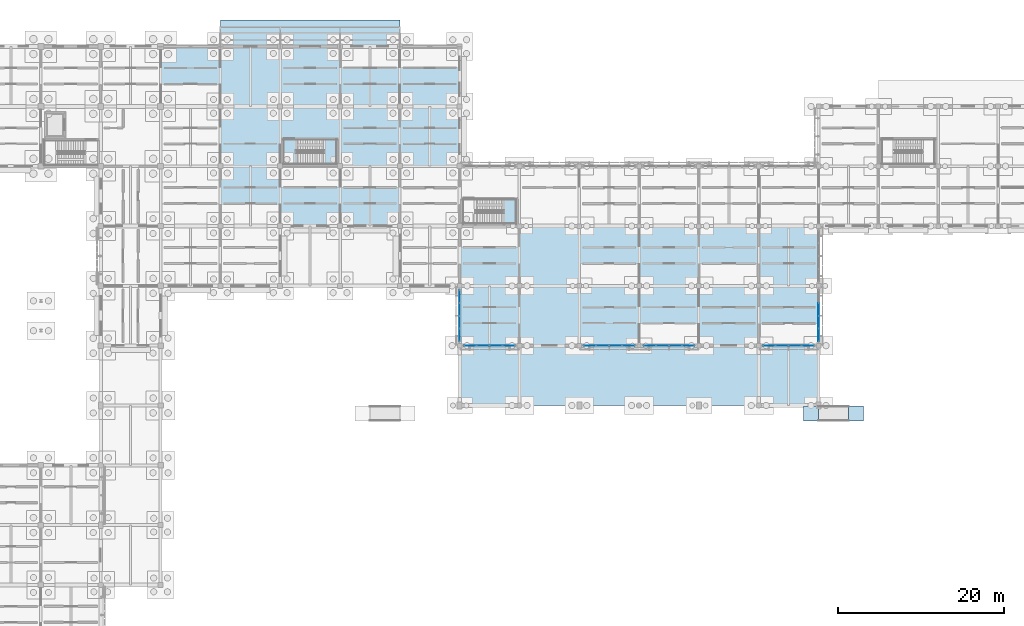
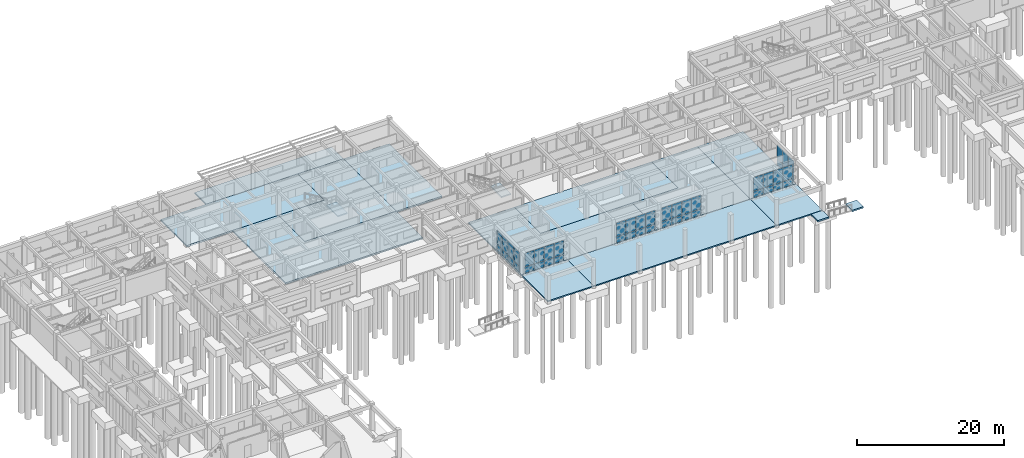
# One storey, part 52 of 111: 46 plates, 16 slabs, 8 elements without a shape of their own.
"""IFC4 building model written with IfcOpenShell, lengths in metres."""

import ifcopenshell
import ifcopenshell.guid

model = None  # the IFC model being written
_history = None  # IfcOwnerHistory: only IFC2X3 demands one
_inside = {}  # id of a spatial element -> (the spatial element, [elements in it])
_under = {}  # id of a project, library or spatial element -> (it, [spatial elements below it])
_declared = {}  # id of a project -> (the project, [libraries it declares])
_typed = {}  # id of a type object -> (the type object, [elements of that type])
_made_of = {}  # id of a material, layer set ... -> (it, [elements and type objects made of it])


def new_model(schema):
    """Start an empty IFC model of exactly this schema.

    Asked for "IFC4X3", IfcOpenShell would pick the latest addendum, in which some entities
    have other attributes; the version numbers below select the first issue.
    IFC2X3 requires an IfcOwnerHistory on every rooted entity: one is made here for all.
    """
    global model, _history
    if schema == "IFC4X3":
        model = ifcopenshell.file(schema_version=(4, 3, 0, 0))
    else:
        model = ifcopenshell.file(schema=schema)
    _inside.clear()
    _under.clear()
    _declared.clear()
    _typed.clear()
    _made_of.clear()
    _history = None
    if model.schema == "IFC2X3":
        org = make("IfcOrganization", Name="unknown")
        user = make(
            "IfcPersonAndOrganization",
            ThePerson=make("IfcPerson", FamilyName="unknown"),
            TheOrganization=org,
        )
        app = make(
            "IfcApplication",
            ApplicationDeveloper=org,
            Version="unknown",
            ApplicationFullName="unknown",
            ApplicationIdentifier="unknown",
        )
        _history = make(
            "IfcOwnerHistory",
            OwningUser=user,
            OwningApplication=app,
            ChangeAction="ADDED",
            CreationDate=0,
        )
    return model


def make(cls, **values):
    """One entity of the class cls with the attributes given. An attribute that is None is left unset."""
    return model.create_entity(
        cls, **{name: value for name, value in values.items() if value is not None}
    )


def rooted(cls, **values):
    """An entity with a GlobalId (a new one), such as an element, a storey or a relation."""
    return make(cls, GlobalId=ifcopenshell.guid.new(), OwnerHistory=_history, **values)


def si_unit(unit_type, name, prefix=None):
    """IfcSIUnit, for example si_unit("LENGTHUNIT", "METRE", prefix="MILLI")."""
    return make("IfcSIUnit", UnitType=unit_type, Prefix=prefix, Name=name)


def assignment(units):
    """IfcUnitAssignment: the units of a project."""
    return None if units is None else make("IfcUnitAssignment", Units=units)


def point(xyz):
    """IfcCartesianPoint."""
    return None if xyz is None else make("IfcCartesianPoint", Coordinates=xyz)


def direction(xyz):
    """IfcDirection."""
    return None if xyz is None else make("IfcDirection", DirectionRatios=xyz)


def frame(location, z_axis=None, x_axis=None):
    """IfcAxis2Placement3D, a coordinate frame: its origin and axes. An axis left out is left unset."""
    return make(
        "IfcAxis2Placement3D",
        Location=point(location),
        Axis=direction(z_axis),
        RefDirection=direction(x_axis),
    )


def frame_2d(location, x_axis=None):
    """IfcAxis2Placement2D, a coordinate frame in the plane: its origin and x axis."""
    return make(
        "IfcAxis2Placement2D", Location=point(location), RefDirection=direction(x_axis)
    )


def origin():
    """The frame at (0, 0, 0) with its axes left unset."""
    return frame((0.0, 0.0, 0.0))


def origin_2d():
    """The frame at (0, 0) in the plane with its x axis left unset."""
    return frame_2d((0.0, 0.0))


def place(relative_to, where):
    """IfcLocalPlacement: puts the frame where relative to a parent placement (None: the world)."""
    return make(
        "IfcLocalPlacement", PlacementRelTo=relative_to, RelativePlacement=where
    )


def context(
    kind, dimensions, precision=None, world=None, true_north=None, identifier=None
):
    """IfcGeometricRepresentationContext, for example the 3D "Model" context."""
    return make(
        "IfcGeometricRepresentationContext",
        ContextIdentifier=identifier,
        ContextType=kind,
        CoordinateSpaceDimension=dimensions,
        Precision=precision,
        WorldCoordinateSystem=world,
        TrueNorth=true_north,
    )


def subcontext(parent, identifier, kind, view, scale=None):
    """IfcGeometricRepresentationSubContext, for example "Body" below "Model"."""
    return make(
        "IfcGeometricRepresentationSubContext",
        ContextIdentifier=identifier,
        ContextType=kind,
        ParentContext=parent,
        TargetScale=scale,
        TargetView=view,
    )


def project(units=None, contexts=None):
    """IfcProject with its units and contexts."""
    return rooted(
        "IfcProject",
        Name="project",
        RepresentationContexts=contexts,
        UnitsInContext=assignment(units),
    )


def spatial(cls, under=None, at=None, **own):
    """A site, building, storey or space (cls), placed at a placement, below another one or the project."""
    s = rooted(cls, ObjectPlacement=at, **own)
    if under is not None:
        _under.setdefault(under.id(), (under, []))[1].append(s)
    return s


def polyline(points):
    """IfcPolyline through the points."""
    return make("IfcPolyline", Points=[point(p) for p in points])


def profile(cls, at=None, kind="AREA", **sizes):
    """A parametric profile (cls). Its sizes go by their IFC names, for example OverallWidth=200.0."""
    return make(cls, ProfileType=kind, Position=at, **sizes)


def rectangle(**sizes):
    """IfcRectangleProfileDef."""
    return profile("IfcRectangleProfileDef", **sizes)


def outline(outer, holes=None, kind="AREA"):
    """IfcArbitraryClosedProfileDef: a profile drawn as a closed curve; with holes, ...WithVoids."""
    if holes is None:
        return make("IfcArbitraryClosedProfileDef", ProfileType=kind, OuterCurve=outer)
    return make(
        "IfcArbitraryProfileDefWithVoids",
        ProfileType=kind,
        OuterCurve=outer,
        InnerCurves=holes,
    )


def extrude(swept, where, along, depth):
    """IfcExtrudedAreaSolid: the profile swept, set in the frame where, extruded along a direction by depth."""
    return make(
        "IfcExtrudedAreaSolid",
        SweptArea=swept,
        Position=where,
        ExtrudedDirection=direction(along),
        Depth=depth,
    )


def shape(context_of_items, identifier, shape_type, items):
    """IfcShapeRepresentation: the items that make up one representation, for example the "Body"."""
    return make(
        "IfcShapeRepresentation",
        ContextOfItems=context_of_items,
        RepresentationIdentifier=identifier,
        RepresentationType=shape_type,
        Items=items,
    )


def material(Name=None, Category=None):
    """IfcMaterial."""
    return make("IfcMaterial", Name=Name, Category=Category)


def layer(
    of_material, thickness, ventilated=None, Name=None, Category=None, Priority=None
):
    """IfcMaterialLayer: one layer of a wall or slab, of a material (None: an air gap)."""
    return make(
        "IfcMaterialLayer",
        Material=of_material,
        LayerThickness=thickness,
        IsVentilated=ventilated,
        Name=Name,
        Category=Category,
        Priority=Priority,
    )


def layer_set(layers, Name=None):
    """IfcMaterialLayerSet."""
    return make("IfcMaterialLayerSet", MaterialLayers=layers, LayerSetName=Name)


def made_of(thing, what):
    """Note that an element or type object is made of a material, layer set ...; save() writes the relation."""
    if what is not None:
        _made_of.setdefault(what.id(), (what, []))[1].append(thing)
    return thing


def type_object(cls, material=None, **own):
    """A type object (cls), such as IfcWallType, which elements share."""
    return made_of(rooted(cls, **own), material)


def element(
    cls,
    number,
    at=None,
    inside=None,
    cuts=None,
    type_object=None,
    material=None,
    context=None,
    identifier="Body",
    shape_type=None,
    held_by="IfcProductDefinitionShape",
    body=None,
    shapes=None,
    **own,
):
    """One element of the class cls, such as IfcWall. Its Tag is "e" and its number.

    at: its placement. inside: the storey or other place that contains it. cuts: it is an
    opening in that element (IfcRelVoidsElement). A single representation is given by context,
    identifier, shape_type and body (its items); several are given by shapes. held_by: the class
    of the entity that holds the representations. save() writes the other relations.
    """
    e = rooted(cls, Tag="e%d" % number, ObjectPlacement=at, **own)
    if body is not None:
        shapes = [shape(context, identifier, shape_type, body)]
    if shapes is not None:
        e.Representation = make(held_by, Representations=shapes)
    if inside is not None:
        _inside.setdefault(inside.id(), (inside, []))[1].append(e)
    if cuts is not None:
        rooted(
            "IfcRelVoidsElement", RelatingBuildingElement=cuts, RelatedOpeningElement=e
        )
    if type_object is not None:
        _typed.setdefault(type_object.id(), (type_object, []))[1].append(e)
    return made_of(e, material)


def aggregate(whole, parts):
    """IfcRelAggregates: a whole, such as a stair, and the parts it consists of."""
    return rooted("IfcRelAggregates", RelatingObject=whole, RelatedObjects=parts)


def save(model, path):
    """Write the relations noted so far, then the file.

    IfcRelAggregates (storeys below a building ...), IfcRelContainedInSpatialStructure (elements
    in a storey), IfcRelDefinesByType, IfcRelAssociatesMaterial and IfcRelDeclares: one each for
    every whole, place, type object, material and project.
    """
    for whole, parts in _under.values():
        aggregate(whole, parts)
    for where, things in _inside.values():
        rooted(
            "IfcRelContainedInSpatialStructure",
            RelatedElements=things,
            RelatingStructure=where,
        )
    for kind, things in _typed.values():
        rooted("IfcRelDefinesByType", RelatedObjects=things, RelatingType=kind)
    for what, things in _made_of.values():
        rooted("IfcRelAssociatesMaterial", RelatedObjects=things, RelatingMaterial=what)
    for by, libraries in _declared.values():
        rooted("IfcRelDeclares", RelatingContext=by, RelatedDefinitions=libraries)
    model.write(path)


model = new_model("IFC4")

# Units and contexts
model_context = context("Model", 3, precision=1e-05, world=origin(), true_north=direction((0.0, 1.0)))
body_context = subcontext(model_context, "Body", "Model", "MODEL_VIEW")
ifc_project = project(units=[si_unit("LENGTHUNIT", "METRE"), si_unit("AREAUNIT", "SQUARE_METRE"), si_unit("VOLUMEUNIT", "CUBIC_METRE"), si_unit("PLANEANGLEUNIT", "RADIAN"), si_unit("MASSUNIT", "GRAM", prefix="KILO")], contexts=[model_context])

# Site, building, storey
site_placement = place(None, origin())
site = spatial("IfcSite", under=ifc_project, at=site_placement, CompositionType="ELEMENT")
building_placement = place(site_placement, origin())
building = spatial("IfcBuilding", under=site, at=building_placement, Name="Aldebral Square Health Centre", CompositionType="ELEMENT")
storey_placement = place(building_placement, origin())
storey = spatial("IfcBuildingStorey", under=building, at=storey_placement, Name="L00", CompositionType="ELEMENT", Elevation=0.0)

# Curtain wall, plates
ifc_material_1 = material(Name="Aluminium and low-E solar glass", Category="aluminium")
curtain_wall_type = type_object("IfcCurtainWallType", Name="CW-HALL-SYS", PredefinedType="USERDEFINED", material=ifc_material_1)
curtain_wall_1_placement = place(storey_placement, origin())
curtain_wall_1 = element("IfcCurtainWall", 1, at=curtain_wall_1_placement, inside=storey, type_object=curtain_wall_type, Name="L00 V1 hall curtain wall L00-V1-09-11-S", ObjectType="HALL_CURTAIN_WALL", PredefinedType="USERDEFINED")
ifc_material_2 = material(Name="Solar-control low-E double glass", Category="glass")
ifc_layer_1 = layer(ifc_material_2, 0.030029296875, Name="Solar-control low-E double glass", Category="glass")
ifc_layer_set_1 = layer_set([ifc_layer_1], Name="Solar-control low-E double glass")
plate_type = type_object("IfcPlateType", Name="CWP-GLZ-2", PredefinedType="CURTAIN_PANEL", material=ifc_layer_set_1)
plate_1_placement = place(storey_placement, frame((66.078857421875, 79.199951171875, 0.0751953125), z_axis=(0.0, 0.0, 1.0), x_axis=(1.0, 0.0, 0.0)))
plate_1 = element("IfcPlate", 2, at=plate_1_placement, type_object=plate_type, Name="CW2 panel 1.1", PredefinedType="CURTAIN_PANEL", context=body_context, shape_type="SweptSolid", body=[
    extrude(rectangle(XDim=1.447509765625, YDim=0.030029296875, at=origin_2d()), origin(), (0.0, 0.0, 1.0), 0.987548828125),
])
plate_2_placement = place(storey_placement, frame((66.078857421875, 79.199951171875, 1.1376953125), z_axis=(0.0, 0.0, 1.0), x_axis=(1.0, 0.0, 0.0)))
plate_2 = element("IfcPlate", 3, at=plate_2_placement, type_object=plate_type, Name="CW2 panel 1.2", PredefinedType="CURTAIN_PANEL", context=body_context, shape_type="SweptSolid", body=[
    extrude(rectangle(XDim=1.447509765625, YDim=0.030029296875, at=origin_2d()), origin(), (0.0, 0.0, 1.0), 2.257568359375),
])
plate_3_placement = place(storey_placement, frame((67.6201171875, 79.199951171875, 0.0751953125), z_axis=(0.0, 0.0, 1.0), x_axis=(1.0, 0.0, 0.0)))
plate_3 = element("IfcPlate", 4, at=plate_3_placement, type_object=plate_type, Name="CW2 panel 2.1", PredefinedType="CURTAIN_PANEL", context=body_context, shape_type="SweptSolid", body=[
    extrude(rectangle(XDim=1.485107421875, YDim=0.030029296875, at=origin_2d()), origin(), (0.0, 0.0, 1.0), 0.987548828125),
])
plate_4_placement = place(storey_placement, frame((67.6201171875, 79.199951171875, 1.1376953125), z_axis=(0.0, 0.0, 1.0), x_axis=(1.0, 0.0, 0.0)))
plate_4 = element("IfcPlate", 5, at=plate_4_placement, type_object=plate_type, Name="CW2 panel 2.2", PredefinedType="CURTAIN_PANEL", context=body_context, shape_type="SweptSolid", body=[
    extrude(rectangle(XDim=1.485107421875, YDim=0.030029296875, at=origin_2d()), origin(), (0.0, 0.0, 1.0), 2.257568359375),
])
plate_5_placement = place(storey_placement, frame((69.179931640625, 79.199951171875, 0.0751953125), z_axis=(0.0, 0.0, 1.0), x_axis=(1.0, 0.0, 0.0)))
plate_5 = element("IfcPlate", 6, at=plate_5_placement, type_object=plate_type, Name="CW2 panel 3.1", PredefinedType="CURTAIN_PANEL", context=body_context, shape_type="SweptSolid", body=[
    extrude(rectangle(XDim=1.485107421875, YDim=0.030029296875, at=origin_2d()), origin(), (0.0, 0.0, 1.0), 0.987548828125),
])
plate_6_placement = place(storey_placement, frame((69.179931640625, 79.199951171875, 1.1376953125), z_axis=(0.0, 0.0, 1.0), x_axis=(1.0, 0.0, 0.0)))
plate_6 = element("IfcPlate", 7, at=plate_6_placement, type_object=plate_type, Name="CW2 panel 3.2", PredefinedType="CURTAIN_PANEL", context=body_context, shape_type="SweptSolid", body=[
    extrude(rectangle(XDim=1.485107421875, YDim=0.030029296875, at=origin_2d()), origin(), (0.0, 0.0, 1.0), 2.257568359375),
])
plate_7_placement = place(storey_placement, frame((70.72119140625, 79.199951171875, 0.0751953125), z_axis=(0.0, 0.0, 1.0), x_axis=(1.0, 0.0, 0.0)))
plate_7 = element("IfcPlate", 8, at=plate_7_placement, type_object=plate_type, Name="CW2 panel 4.1", PredefinedType="CURTAIN_PANEL", context=body_context, shape_type="SweptSolid", body=[
    extrude(rectangle(XDim=1.447509765625, YDim=0.030029296875, at=origin_2d()), origin(), (0.0, 0.0, 1.0), 0.987548828125),
])
plate_8_placement = place(storey_placement, frame((70.72119140625, 79.199951171875, 1.1376953125), z_axis=(0.0, 0.0, 1.0), x_axis=(1.0, 0.0, 0.0)))
plate_8 = element("IfcPlate", 9, at=plate_8_placement, type_object=plate_type, Name="CW2 panel 4.2", PredefinedType="CURTAIN_PANEL", context=body_context, shape_type="SweptSolid", body=[
    extrude(rectangle(XDim=1.447509765625, YDim=0.030029296875, at=origin_2d()), origin(), (0.0, 0.0, 1.0), 2.257568359375),
])
aggregate(curtain_wall_1, [plate_1, plate_2, plate_3, plate_4, plate_5, plate_6, plate_7, plate_8])

curtain_wall_2_placement = place(storey_placement, origin())
curtain_wall_2 = element("IfcCurtainWall", 10, at=curtain_wall_2_placement, inside=storey, type_object=curtain_wall_type, Name="L00 V1 hall curtain wall L00-V1-09-11-W", ObjectType="HALL_CURTAIN_WALL", PredefinedType="USERDEFINED")
plate_9_placement = place(storey_placement, frame((64.800048828125, 85.121337890625, 0.0751953125), z_axis=(0.0, 0.0, 1.0), x_axis=(0.0, -1.0, 0.0)))
plate_9 = element("IfcPlate", 11, at=plate_9_placement, type_object=plate_type, Name="CW2 panel 1.1", PredefinedType="CURTAIN_PANEL", context=body_context, shape_type="SweptSolid", body=[
    extrude(rectangle(XDim=1.447509765625, YDim=0.030029296875, at=origin_2d()), origin(), (0.0, 0.0, 1.0), 0.987548828125),
])
plate_10_placement = place(storey_placement, frame((64.800048828125, 85.121337890625, 1.137451171875), z_axis=(0.0, 0.0, 1.0), x_axis=(0.0, -1.0, 0.0)))
plate_10 = element("IfcPlate", 12, at=plate_10_placement, type_object=plate_type, Name="CW2 panel 1.2", PredefinedType="CURTAIN_PANEL", context=body_context, shape_type="SweptSolid", body=[
    extrude(rectangle(XDim=1.447509765625, YDim=0.030029296875, at=origin_2d()), origin(), (0.0, 0.0, 1.0), 2.3076171875),
])
plate_11_placement = place(storey_placement, frame((64.800048828125, 83.580078125, 0.0751953125), z_axis=(0.0, 0.0, 1.0), x_axis=(0.0, -1.0, 0.0)))
plate_11 = element("IfcPlate", 13, at=plate_11_placement, type_object=plate_type, Name="CW2 panel 2.1", PredefinedType="CURTAIN_PANEL", context=body_context, shape_type="SweptSolid", body=[
    extrude(rectangle(XDim=1.485107421875, YDim=0.030029296875, at=origin_2d()), origin(), (0.0, 0.0, 1.0), 0.987548828125),
])
plate_12_placement = place(storey_placement, frame((64.800048828125, 83.580078125, 1.137451171875), z_axis=(0.0, 0.0, 1.0), x_axis=(0.0, -1.0, 0.0)))
plate_12 = element("IfcPlate", 14, at=plate_12_placement, type_object=plate_type, Name="CW2 panel 2.2", PredefinedType="CURTAIN_PANEL", context=body_context, shape_type="SweptSolid", body=[
    extrude(rectangle(XDim=1.485107421875, YDim=0.030029296875, at=origin_2d()), origin(), (0.0, 0.0, 1.0), 2.3076171875),
])
plate_13_placement = place(storey_placement, frame((64.800048828125, 82.02001953125, 0.0751953125), z_axis=(0.0, 0.0, 1.0), x_axis=(0.0, -1.0, 0.0)))
plate_13 = element("IfcPlate", 15, at=plate_13_placement, type_object=plate_type, Name="CW2 panel 3.1", PredefinedType="CURTAIN_PANEL", context=body_context, shape_type="SweptSolid", body=[
    extrude(rectangle(XDim=1.485107421875, YDim=0.030029296875, at=origin_2d()), origin(), (0.0, 0.0, 1.0), 0.987548828125),
])
plate_14_placement = place(storey_placement, frame((64.800048828125, 82.02001953125, 1.137451171875), z_axis=(0.0, 0.0, 1.0), x_axis=(0.0, -1.0, 0.0)))
plate_14 = element("IfcPlate", 16, at=plate_14_placement, type_object=plate_type, Name="CW2 panel 3.2", PredefinedType="CURTAIN_PANEL", context=body_context, shape_type="SweptSolid", body=[
    extrude(rectangle(XDim=1.485107421875, YDim=0.030029296875, at=origin_2d()), origin(), (0.0, 0.0, 1.0), 2.3076171875),
])
plate_15_placement = place(storey_placement, frame((64.800048828125, 80.478759765625, 0.0751953125), z_axis=(0.0, 0.0, 1.0), x_axis=(0.0, -1.0, 0.0)))
plate_15 = element("IfcPlate", 17, at=plate_15_placement, type_object=plate_type, Name="CW2 panel 4.1", PredefinedType="CURTAIN_PANEL", context=body_context, shape_type="SweptSolid", body=[
    extrude(rectangle(XDim=1.447509765625, YDim=0.030029296875, at=origin_2d()), origin(), (0.0, 0.0, 1.0), 0.987548828125),
])
plate_16_placement = place(storey_placement, frame((64.800048828125, 80.478759765625, 1.137451171875), z_axis=(0.0, 0.0, 1.0), x_axis=(0.0, -1.0, 0.0)))
plate_16 = element("IfcPlate", 18, at=plate_16_placement, type_object=plate_type, Name="CW2 panel 4.2", PredefinedType="CURTAIN_PANEL", context=body_context, shape_type="SweptSolid", body=[
    extrude(rectangle(XDim=1.447509765625, YDim=0.030029296875, at=origin_2d()), origin(), (0.0, 0.0, 1.0), 2.3076171875),
])
aggregate(curtain_wall_2, [plate_9, plate_10, plate_11, plate_12, plate_13, plate_14, plate_15, plate_16])

curtain_wall_3_placement = place(storey_placement, origin())
curtain_wall_3 = element("IfcCurtainWall", 19, at=curtain_wall_3_placement, inside=storey, type_object=curtain_wall_type, Name="L00 V1 hall curtain wall L00-V1-11-11-S", ObjectType="HALL_CURTAIN_WALL", PredefinedType="USERDEFINED")
plate_17_placement = place(storey_placement, frame((80.478759765625, 79.199951171875, 0.0751953125), z_axis=(0.0, 0.0, 1.0), x_axis=(1.0, 0.0, 0.0)))
plate_17 = element("IfcPlate", 20, at=plate_17_placement, type_object=plate_type, Name="CW2 panel 1.1", PredefinedType="CURTAIN_PANEL", context=body_context, shape_type="SweptSolid", body=[
    extrude(rectangle(XDim=1.447509765625, YDim=0.030029296875, at=origin_2d()), origin(), (0.0, 0.0, 1.0), 0.987548828125),
])
plate_18_placement = place(storey_placement, frame((80.478759765625, 79.199951171875, 1.1376953125), z_axis=(0.0, 0.0, 1.0), x_axis=(1.0, 0.0, 0.0)))
plate_18 = element("IfcPlate", 21, at=plate_18_placement, type_object=plate_type, Name="CW2 panel 1.2", PredefinedType="CURTAIN_PANEL", context=body_context, shape_type="SweptSolid", body=[
    extrude(rectangle(XDim=1.447509765625, YDim=0.030029296875, at=origin_2d()), origin(), (0.0, 0.0, 1.0), 2.257568359375),
])
plate_19_placement = place(storey_placement, frame((82.02001953125, 79.199951171875, 0.0751953125), z_axis=(0.0, 0.0, 1.0), x_axis=(1.0, 0.0, 0.0)))
plate_19 = element("IfcPlate", 22, at=plate_19_placement, type_object=plate_type, Name="CW2 panel 2.1", PredefinedType="CURTAIN_PANEL", context=body_context, shape_type="SweptSolid", body=[
    extrude(rectangle(XDim=1.485107421875, YDim=0.030029296875, at=origin_2d()), origin(), (0.0, 0.0, 1.0), 0.987548828125),
])
plate_20_placement = place(storey_placement, frame((82.02001953125, 79.199951171875, 1.1376953125), z_axis=(0.0, 0.0, 1.0), x_axis=(1.0, 0.0, 0.0)))
plate_20 = element("IfcPlate", 23, at=plate_20_placement, type_object=plate_type, Name="CW2 panel 2.2", PredefinedType="CURTAIN_PANEL", context=body_context, shape_type="SweptSolid", body=[
    extrude(rectangle(XDim=1.485107421875, YDim=0.030029296875, at=origin_2d()), origin(), (0.0, 0.0, 1.0), 2.257568359375),
])
plate_21_placement = place(storey_placement, frame((83.580078125, 79.199951171875, 0.0751953125), z_axis=(0.0, 0.0, 1.0), x_axis=(1.0, 0.0, 0.0)))
plate_21 = element("IfcPlate", 24, at=plate_21_placement, type_object=plate_type, Name="CW2 panel 3.1", PredefinedType="CURTAIN_PANEL", context=body_context, shape_type="SweptSolid", body=[
    extrude(rectangle(XDim=1.485107421875, YDim=0.030029296875, at=origin_2d()), origin(), (0.0, 0.0, 1.0), 0.987548828125),
])
plate_22_placement = place(storey_placement, frame((83.580078125, 79.199951171875, 1.1376953125), z_axis=(0.0, 0.0, 1.0), x_axis=(1.0, 0.0, 0.0)))
plate_22 = element("IfcPlate", 25, at=plate_22_placement, type_object=plate_type, Name="CW2 panel 3.2", PredefinedType="CURTAIN_PANEL", context=body_context, shape_type="SweptSolid", body=[
    extrude(rectangle(XDim=1.485107421875, YDim=0.030029296875, at=origin_2d()), origin(), (0.0, 0.0, 1.0), 2.257568359375),
])
plate_23_placement = place(storey_placement, frame((85.121337890625, 79.199951171875, 0.0751953125), z_axis=(0.0, 0.0, 1.0), x_axis=(1.0, 0.0, 0.0)))
plate_23 = element("IfcPlate", 26, at=plate_23_placement, type_object=plate_type, Name="CW2 panel 4.1", PredefinedType="CURTAIN_PANEL", context=body_context, shape_type="SweptSolid", body=[
    extrude(rectangle(XDim=1.447509765625, YDim=0.030029296875, at=origin_2d()), origin(), (0.0, 0.0, 1.0), 0.987548828125),
])
plate_24_placement = place(storey_placement, frame((85.121337890625, 79.199951171875, 1.1376953125), z_axis=(0.0, 0.0, 1.0), x_axis=(1.0, 0.0, 0.0)))
plate_24 = element("IfcPlate", 27, at=plate_24_placement, type_object=plate_type, Name="CW2 panel 4.2", PredefinedType="CURTAIN_PANEL", context=body_context, shape_type="SweptSolid", body=[
    extrude(rectangle(XDim=1.447509765625, YDim=0.030029296875, at=origin_2d()), origin(), (0.0, 0.0, 1.0), 2.257568359375),
])
aggregate(curtain_wall_3, [plate_17, plate_18, plate_19, plate_20, plate_21, plate_22, plate_23, plate_24])

curtain_wall_4_placement = place(storey_placement, origin())
curtain_wall_4 = element("IfcCurtainWall", 28, at=curtain_wall_4_placement, inside=storey, type_object=curtain_wall_type, Name="L00 V1 hall curtain wall L00-V1-12-11-S", ObjectType="HALL_CURTAIN_WALL", PredefinedType="USERDEFINED")
plate_25_placement = place(storey_placement, frame((87.6787109375, 79.199951171875, 0.0751953125), z_axis=(0.0, 0.0, 1.0), x_axis=(1.0, 0.0, 0.0)))
plate_25 = element("IfcPlate", 29, at=plate_25_placement, type_object=plate_type, Name="CW2 panel 1.1", PredefinedType="CURTAIN_PANEL", context=body_context, shape_type="SweptSolid", body=[
    extrude(rectangle(XDim=1.447509765625, YDim=0.030029296875, at=origin_2d()), origin(), (0.0, 0.0, 1.0), 0.987548828125),
])
plate_26_placement = place(storey_placement, frame((87.6787109375, 79.199951171875, 1.1376953125), z_axis=(0.0, 0.0, 1.0), x_axis=(1.0, 0.0, 0.0)))
plate_26 = element("IfcPlate", 30, at=plate_26_placement, type_object=plate_type, Name="CW2 panel 1.2", PredefinedType="CURTAIN_PANEL", context=body_context, shape_type="SweptSolid", body=[
    extrude(rectangle(XDim=1.447509765625, YDim=0.030029296875, at=origin_2d()), origin(), (0.0, 0.0, 1.0), 2.257568359375),
])
plate_27_placement = place(storey_placement, frame((89.219970703125, 79.199951171875, 0.0751953125), z_axis=(0.0, 0.0, 1.0), x_axis=(1.0, 0.0, 0.0)))
plate_27 = element("IfcPlate", 31, at=plate_27_placement, type_object=plate_type, Name="CW2 panel 2.1", PredefinedType="CURTAIN_PANEL", context=body_context, shape_type="SweptSolid", body=[
    extrude(rectangle(XDim=1.485107421875, YDim=0.030029296875, at=origin_2d()), origin(), (0.0, 0.0, 1.0), 0.987548828125),
])
plate_28_placement = place(storey_placement, frame((89.219970703125, 79.199951171875, 1.1376953125), z_axis=(0.0, 0.0, 1.0), x_axis=(1.0, 0.0, 0.0)))
plate_28 = element("IfcPlate", 32, at=plate_28_placement, type_object=plate_type, Name="CW2 panel 2.2", PredefinedType="CURTAIN_PANEL", context=body_context, shape_type="SweptSolid", body=[
    extrude(rectangle(XDim=1.485107421875, YDim=0.030029296875, at=origin_2d()), origin(), (0.0, 0.0, 1.0), 2.257568359375),
])
plate_29_placement = place(storey_placement, frame((90.780029296875, 79.199951171875, 0.0751953125), z_axis=(0.0, 0.0, 1.0), x_axis=(1.0, 0.0, 0.0)))
plate_29 = element("IfcPlate", 33, at=plate_29_placement, type_object=plate_type, Name="CW2 panel 3.1", PredefinedType="CURTAIN_PANEL", context=body_context, shape_type="SweptSolid", body=[
    extrude(rectangle(XDim=1.485107421875, YDim=0.030029296875, at=origin_2d()), origin(), (0.0, 0.0, 1.0), 0.987548828125),
])
plate_30_placement = place(storey_placement, frame((90.780029296875, 79.199951171875, 1.1376953125), z_axis=(0.0, 0.0, 1.0), x_axis=(1.0, 0.0, 0.0)))
plate_30 = element("IfcPlate", 34, at=plate_30_placement, type_object=plate_type, Name="CW2 panel 3.2", PredefinedType="CURTAIN_PANEL", context=body_context, shape_type="SweptSolid", body=[
    extrude(rectangle(XDim=1.485107421875, YDim=0.030029296875, at=origin_2d()), origin(), (0.0, 0.0, 1.0), 2.257568359375),
])
plate_31_placement = place(storey_placement, frame((92.3212890625, 79.199951171875, 0.0751953125), z_axis=(0.0, 0.0, 1.0), x_axis=(1.0, 0.0, 0.0)))
plate_31 = element("IfcPlate", 35, at=plate_31_placement, type_object=plate_type, Name="CW2 panel 4.1", PredefinedType="CURTAIN_PANEL", context=body_context, shape_type="SweptSolid", body=[
    extrude(rectangle(XDim=1.447509765625, YDim=0.030029296875, at=origin_2d()), origin(), (0.0, 0.0, 1.0), 0.987548828125),
])
plate_32_placement = place(storey_placement, frame((92.3212890625, 79.199951171875, 1.1376953125), z_axis=(0.0, 0.0, 1.0), x_axis=(1.0, 0.0, 0.0)))
plate_32 = element("IfcPlate", 36, at=plate_32_placement, type_object=plate_type, Name="CW2 panel 4.2", PredefinedType="CURTAIN_PANEL", context=body_context, shape_type="SweptSolid", body=[
    extrude(rectangle(XDim=1.447509765625, YDim=0.030029296875, at=origin_2d()), origin(), (0.0, 0.0, 1.0), 2.257568359375),
])
aggregate(curtain_wall_4, [plate_25, plate_26, plate_27, plate_28, plate_29, plate_30, plate_31, plate_32])

curtain_wall_5_placement = place(storey_placement, origin())
curtain_wall_5 = element("IfcCurtainWall", 37, at=curtain_wall_5_placement, inside=storey, type_object=curtain_wall_type, Name="L00 V1 hall curtain wall L00-V1-14-11-S", ObjectType="HALL_CURTAIN_WALL", PredefinedType="USERDEFINED")
plate_33_placement = place(storey_placement, frame((102.078857421875, 79.199951171875, 0.0751953125), z_axis=(0.0, 0.0, 1.0), x_axis=(1.0, 0.0, 0.0)))
plate_33 = element("IfcPlate", 38, at=plate_33_placement, type_object=plate_type, Name="CW2 panel 1.1", PredefinedType="CURTAIN_PANEL", context=body_context, shape_type="SweptSolid", body=[
    extrude(rectangle(XDim=1.447509765625, YDim=0.030029296875, at=origin_2d()), origin(), (0.0, 0.0, 1.0), 0.987548828125),
])
plate_34_placement = place(storey_placement, frame((102.078857421875, 79.199951171875, 1.1376953125), z_axis=(0.0, 0.0, 1.0), x_axis=(1.0, 0.0, 0.0)))
plate_34 = element("IfcPlate", 39, at=plate_34_placement, type_object=plate_type, Name="CW2 panel 1.2", PredefinedType="CURTAIN_PANEL", context=body_context, shape_type="SweptSolid", body=[
    extrude(rectangle(XDim=1.447509765625, YDim=0.030029296875, at=origin_2d()), origin(), (0.0, 0.0, 1.0), 2.257568359375),
])
plate_35_placement = place(storey_placement, frame((103.6201171875, 79.199951171875, 0.0751953125), z_axis=(0.0, 0.0, 1.0), x_axis=(1.0, 0.0, 0.0)))
plate_35 = element("IfcPlate", 40, at=plate_35_placement, type_object=plate_type, Name="CW2 panel 2.1", PredefinedType="CURTAIN_PANEL", context=body_context, shape_type="SweptSolid", body=[
    extrude(rectangle(XDim=1.485107421875, YDim=0.030029296875, at=origin_2d()), origin(), (0.0, 0.0, 1.0), 0.987548828125),
])
plate_36_placement = place(storey_placement, frame((103.6201171875, 79.199951171875, 1.1376953125), z_axis=(0.0, 0.0, 1.0), x_axis=(1.0, 0.0, 0.0)))
plate_36 = element("IfcPlate", 41, at=plate_36_placement, type_object=plate_type, Name="CW2 panel 2.2", PredefinedType="CURTAIN_PANEL", context=body_context, shape_type="SweptSolid", body=[
    extrude(rectangle(XDim=1.485107421875, YDim=0.030029296875, at=origin_2d()), origin(), (0.0, 0.0, 1.0), 2.257568359375),
])
plate_37_placement = place(storey_placement, frame((105.179931640625, 79.199951171875, 0.0751953125), z_axis=(0.0, 0.0, 1.0), x_axis=(1.0, 0.0, 0.0)))
plate_37 = element("IfcPlate", 42, at=plate_37_placement, type_object=plate_type, Name="CW2 panel 3.1", PredefinedType="CURTAIN_PANEL", context=body_context, shape_type="SweptSolid", body=[
    extrude(rectangle(XDim=1.485107421875, YDim=0.030029296875, at=origin_2d()), origin(), (0.0, 0.0, 1.0), 0.987548828125),
])
plate_38_placement = place(storey_placement, frame((105.179931640625, 79.199951171875, 1.1376953125), z_axis=(0.0, 0.0, 1.0), x_axis=(1.0, 0.0, 0.0)))
plate_38 = element("IfcPlate", 43, at=plate_38_placement, type_object=plate_type, Name="CW2 panel 3.2", PredefinedType="CURTAIN_PANEL", context=body_context, shape_type="SweptSolid", body=[
    extrude(rectangle(XDim=1.485107421875, YDim=0.030029296875, at=origin_2d()), origin(), (0.0, 0.0, 1.0), 2.257568359375),
])
plate_39_placement = place(storey_placement, frame((106.72119140625, 79.199951171875, 0.0751953125), z_axis=(0.0, 0.0, 1.0), x_axis=(1.0, 0.0, 0.0)))
plate_39 = element("IfcPlate", 44, at=plate_39_placement, type_object=plate_type, Name="CW2 panel 4.1", PredefinedType="CURTAIN_PANEL", context=body_context, shape_type="SweptSolid", body=[
    extrude(rectangle(XDim=1.447509765625, YDim=0.030029296875, at=origin_2d()), origin(), (0.0, 0.0, 1.0), 0.987548828125),
])
plate_40_placement = place(storey_placement, frame((106.72119140625, 79.199951171875, 1.1376953125), z_axis=(0.0, 0.0, 1.0), x_axis=(1.0, 0.0, 0.0)))
plate_40 = element("IfcPlate", 45, at=plate_40_placement, type_object=plate_type, Name="CW2 panel 4.2", PredefinedType="CURTAIN_PANEL", context=body_context, shape_type="SweptSolid", body=[
    extrude(rectangle(XDim=1.447509765625, YDim=0.030029296875, at=origin_2d()), origin(), (0.0, 0.0, 1.0), 2.257568359375),
])
aggregate(curtain_wall_5, [plate_33, plate_34, plate_35, plate_36, plate_37, plate_38, plate_39, plate_40])

curtain_wall_6_placement = place(storey_placement, origin())
curtain_wall_6 = element("IfcCurtainWall", 46, at=curtain_wall_6_placement, inside=storey, type_object=curtain_wall_type, Name="L00 V1 hall curtain wall L00-V1-14-11-E", ObjectType="HALL_CURTAIN_WALL", PredefinedType="USERDEFINED")
plate_41_placement = place(storey_placement, frame((108.0, 80.478759765625, 0.0751953125), z_axis=(0.0, 0.0, 1.0), x_axis=(0.0, 1.0, 0.0)))
plate_41 = element("IfcPlate", 47, at=plate_41_placement, type_object=plate_type, Name="CW2 panel 1.1", PredefinedType="CURTAIN_PANEL", context=body_context, shape_type="SweptSolid", body=[
    extrude(rectangle(XDim=1.447509765625, YDim=0.030029296875, at=origin_2d()), origin(), (0.0, 0.0, 1.0), 0.987548828125),
])
plate_42_placement = place(storey_placement, frame((108.0, 80.478759765625, 1.137451171875), z_axis=(0.0, 0.0, 1.0), x_axis=(0.0, 1.0, 0.0)))
plate_42 = element("IfcPlate", 48, at=plate_42_placement, type_object=plate_type, Name="CW2 panel 1.2", PredefinedType="CURTAIN_PANEL", context=body_context, shape_type="SweptSolid", body=[
    extrude(rectangle(XDim=1.447509765625, YDim=0.030029296875, at=origin_2d()), origin(), (0.0, 0.0, 1.0), 2.3076171875),
])
plate_43_placement = place(storey_placement, frame((108.0, 82.02001953125, 0.0751953125), z_axis=(0.0, 0.0, 1.0), x_axis=(0.0, 1.0, 0.0)))
plate_43 = element("IfcPlate", 49, at=plate_43_placement, type_object=plate_type, Name="CW2 panel 2.1", PredefinedType="CURTAIN_PANEL", context=body_context, shape_type="SweptSolid", body=[
    extrude(rectangle(XDim=1.485107421875, YDim=0.030029296875, at=origin_2d()), origin(), (0.0, 0.0, 1.0), 0.987548828125),
])
plate_44_placement = place(storey_placement, frame((108.0, 82.02001953125, 1.137451171875), z_axis=(0.0, 0.0, 1.0), x_axis=(0.0, 1.0, 0.0)))
plate_44 = element("IfcPlate", 50, at=plate_44_placement, type_object=plate_type, Name="CW2 panel 2.2", PredefinedType="CURTAIN_PANEL", context=body_context, shape_type="SweptSolid", body=[
    extrude(rectangle(XDim=1.485107421875, YDim=0.030029296875, at=origin_2d()), origin(), (0.0, 0.0, 1.0), 2.3076171875),
])
plate_45_placement = place(storey_placement, frame((108.0, 83.580078125, 0.0751953125), z_axis=(0.0, 0.0, 1.0), x_axis=(0.0, 1.0, 0.0)))
plate_45 = element("IfcPlate", 51, at=plate_45_placement, type_object=plate_type, Name="CW2 panel 3.1", PredefinedType="CURTAIN_PANEL", context=body_context, shape_type="SweptSolid", body=[
    extrude(rectangle(XDim=1.485107421875, YDim=0.030029296875, at=origin_2d()), origin(), (0.0, 0.0, 1.0), 0.987548828125),
])
plate_46_placement = place(storey_placement, frame((108.0, 83.580078125, 1.137451171875), z_axis=(0.0, 0.0, 1.0), x_axis=(0.0, 1.0, 0.0)))
plate_46 = element("IfcPlate", 52, at=plate_46_placement, type_object=plate_type, Name="CW2 panel 3.2", PredefinedType="CURTAIN_PANEL", context=body_context, shape_type="SweptSolid", body=[
    extrude(rectangle(XDim=1.485107421875, YDim=0.030029296875, at=origin_2d()), origin(), (0.0, 0.0, 1.0), 2.3076171875),
])
aggregate(curtain_wall_6, [plate_41, plate_42, plate_43, plate_44, plate_45, plate_46])

# Slabs
ifc_material_3 = material(Name="Concrete C35/45", Category="concrete")
ifc_layer_2 = layer(ifc_material_3, 0.25, Name="Concrete C35/45", Category="concrete")
ifc_layer_set_2 = layer_set([ifc_layer_2], Name="Concrete C35/45")
slab_type_1 = type_object("IfcSlabType", Name="SL-BASE-250", PredefinedType="BASESLAB", material=ifc_layer_set_2)
slab_1_placement = place(storey_placement, frame((0.0, 0.0, -0.429931640625)))
element("IfcSlab", 53, at=slab_1_placement, inside=storey, type_object=slab_type_1, Name="Main Square East Entry Ramp lower approach landing", PredefinedType="BASESLAB", context=body_context, shape_type="SweptSolid", body=[
    extrude(outline(polyline([(113.39990234375, 71.949951171875), (111.60009765625, 71.949951171875), (111.60009765625, 70.14990234375), (113.39990234375, 70.14990234375), (113.39990234375, 71.949951171875)])), origin(), (0.0, 0.0, 1.0), 0.25),
])
slab_2_placement = place(storey_placement, frame((0.0, 0.0, -0.25)))
element("IfcSlab", 54, at=slab_2_placement, inside=storey, type_object=slab_type_1, Name="Main Square East Entry Ramp upper threshold landing", PredefinedType="BASESLAB", context=body_context, shape_type="SweptSolid", body=[
    extrude(outline(polyline([(108.0, 71.949951171875), (106.199951171875, 71.949951171875), (106.199951171875, 70.14990234375), (108.0, 70.14990234375), (108.0, 71.949951171875)])), origin(), (0.0, 0.0, 1.0), 0.25),
])
ifc_layer_3 = layer(ifc_material_3, 0.27001953125, Name="Concrete C35/45", Category="concrete")
ifc_layer_set_3 = layer_set([ifc_layer_3], Name="Concrete C35/45")
slab_type_2 = type_object("IfcSlabType", Name="SL-BASE-270", PredefinedType="BASESLAB", material=ifc_layer_set_3)
slab_3_placement = place(storey_placement, frame((0.0, 0.0, -0.27001953125)))
element("IfcSlab", 55, at=slab_3_placement, inside=storey, type_object=slab_type_2, Name="L00 V1 base slab 1", PredefinedType="BASESLAB", context=body_context, shape_type="SweptSolid", body=[
    extrude(outline(polyline([(64.800048828125, 86.39990234375), (64.800048828125, 93.60009765625), (72.0, 93.60009765625), (72.0, 86.39990234375), (79.199951171875, 86.39990234375), (86.39990234375, 86.39990234375), (86.39990234375, 79.199951171875), (79.199951171875, 79.199951171875), (72.0, 79.199951171875), (64.800048828125, 79.199951171875), (64.800048828125, 86.39990234375)])), origin(), (0.0, 0.0, 1.0), 0.27001953125),
])
slab_4_placement = place(storey_placement, frame((0.0, 0.0, -0.27001953125)))
element("IfcSlab", 56, at=slab_4_placement, inside=storey, type_object=slab_type_2, Name="L00 V1 base slab 3", PredefinedType="BASESLAB", context=body_context, shape_type="SweptSolid", body=[
    extrude(outline(polyline([(72.0, 86.39990234375), (72.0, 93.60009765625), (79.199951171875, 93.60009765625), (86.39990234375, 93.60009765625), (93.60009765625, 93.60009765625), (93.60009765625, 86.39990234375), (86.39990234375, 86.39990234375), (79.199951171875, 86.39990234375), (72.0, 86.39990234375)])), origin(), (0.0, 0.0, 1.0), 0.27001953125),
])
slab_5_placement = place(storey_placement, frame((0.0, 0.0, -0.27001953125)))
element("IfcSlab", 57, at=slab_5_placement, inside=storey, type_object=slab_type_2, Name="L00 V1 base slab 4", PredefinedType="BASESLAB", context=body_context, shape_type="SweptSolid", body=[
    extrude(outline(polyline([(86.39990234375, 79.199951171875), (86.39990234375, 86.39990234375), (93.60009765625, 86.39990234375), (93.60009765625, 93.60009765625), (100.800048828125, 93.60009765625), (100.800048828125, 86.39990234375), (100.800048828125, 79.199951171875), (93.60009765625, 79.199951171875), (86.39990234375, 79.199951171875)])), origin(), (0.0, 0.0, 1.0), 0.27001953125),
])
slab_6_placement = place(storey_placement, frame((0.0, 0.0, -0.27001953125)))
element("IfcSlab", 58, at=slab_6_placement, inside=storey, type_object=slab_type_2, Name="L00 V1 base slab 6", PredefinedType="BASESLAB", context=body_context, shape_type="SweptSolid", body=[
    extrude(outline(polyline([(108.0, 79.199951171875), (100.800048828125, 79.199951171875), (100.800048828125, 86.39990234375), (100.800048828125, 93.60009765625), (108.0, 93.60009765625), (108.0, 86.39990234375), (108.0, 79.199951171875)])), origin(), (0.0, 0.0, 1.0), 0.27001953125),
])
slab_7_placement = place(storey_placement, frame((0.0, 0.0, -0.27001953125)))
element("IfcSlab", 59, at=slab_7_placement, inside=storey, type_object=slab_type_2, Name="L00 V2 base slab 2", PredefinedType="BASESLAB", context=body_context, shape_type="SweptSolid", body=[
    extrude(outline(polyline([(28.800048828125, 108.0), (28.800048828125, 115.199951171875), (36.0, 115.199951171875), (43.199951171875, 115.199951171875), (50.39990234375, 115.199951171875), (50.39990234375, 108.0), (43.199951171875, 108.0), (36.0, 108.0), (28.800048828125, 108.0)])), origin(), (0.0, 0.0, 1.0), 0.27001953125),
])
slab_8_placement = place(storey_placement, frame((0.0, 0.0, -0.27001953125)))
element("IfcSlab", 60, at=slab_8_placement, inside=storey, type_object=slab_type_2, Name="L00 V2 base slab 3", PredefinedType="BASESLAB", context=body_context, shape_type="SweptSolid", body=[
    extrude(outline(polyline([(36.0, 100.800048828125), (36.0, 108.0), (43.199951171875, 108.0), (43.199951171875, 100.800048828125), (50.39990234375, 100.800048828125), (57.60009765625, 100.800048828125), (57.60009765625, 93.60009765625), (50.39990234375, 93.60009765625), (43.199951171875, 93.60009765625), (36.0, 93.60009765625), (36.0, 100.800048828125)])), origin(), (0.0, 0.0, 1.0), 0.27001953125),
])
slab_9_placement = place(storey_placement, frame((0.0, 0.0, -0.27001953125)))
element("IfcSlab", 61, at=slab_9_placement, inside=storey, type_object=slab_type_2, Name="L00 V2 base slab 4", PredefinedType="BASESLAB", context=body_context, shape_type="SweptSolid", body=[
    extrude(outline(polyline([(43.199951171875, 100.800048828125), (43.199951171875, 108.0), (50.39990234375, 108.0), (50.39990234375, 115.199951171875), (57.60009765625, 115.199951171875), (57.60009765625, 108.0), (57.60009765625, 100.800048828125), (50.39990234375, 100.800048828125), (43.199951171875, 100.800048828125)])), origin(), (0.0, 0.0, 1.0), 0.27001953125),
])
slab_10_placement = place(storey_placement, frame((0.0, 0.0, -0.27001953125)))
element("IfcSlab", 62, at=slab_10_placement, inside=storey, type_object=slab_type_2, Name="L00 V2 base slab 6", PredefinedType="BASESLAB", context=body_context, shape_type="SweptSolid", body=[
    extrude(outline(polyline([(64.800048828125, 100.800048828125), (57.60009765625, 100.800048828125), (57.60009765625, 108.0), (57.60009765625, 115.199951171875), (64.800048828125, 115.199951171875), (64.800048828125, 108.0), (64.800048828125, 100.800048828125)])), origin(), (0.0, 0.0, 1.0), 0.27001953125),
])
ifc_layer_4 = layer(ifc_material_3, 0.199951171875, Name="Concrete C35/45", Category="concrete")
ifc_layer_set_4 = layer_set([ifc_layer_4], Name="Concrete C35/45")
slab_type_3 = type_object("IfcSlabType", Name="SL-COL-200", PredefinedType="USERDEFINED", material=ifc_layer_set_4)
slab_11_placement = place(storey_placement, frame((0.0, 0.0, -0.199951171875)))
element("IfcSlab", 63, at=slab_11_placement, inside=storey, type_object=slab_type_3, Name="Aldebral Square colonnade paving 5", ObjectType="PAVING", PredefinedType="USERDEFINED", context=body_context, shape_type="SweptSolid", body=[
    extrude(outline(polyline([(72.0, 72.0), (64.800048828125, 72.0), (64.800048828125, 79.199951171875), (72.0, 79.199951171875), (72.0, 72.0)])), origin(), (0.0, 0.0, 1.0), 0.199951171875),
])
slab_12_placement = place(storey_placement, frame((0.0, 0.0, -0.199951171875)))
element("IfcSlab", 64, at=slab_12_placement, inside=storey, type_object=slab_type_3, Name="Aldebral Square colonnade paving 6", ObjectType="PAVING", PredefinedType="USERDEFINED", context=body_context, shape_type="SweptSolid", body=[
    extrude(outline(polyline([(108.0, 72.0), (100.800048828125, 72.0), (100.800048828125, 79.199951171875), (108.0, 79.199951171875), (108.0, 72.0)])), origin(), (0.0, 0.0, 1.0), 0.199951171875),
])
slab_13_placement = place(storey_placement, frame((0.0, 0.0, -0.199951171875)))
element("IfcSlab", 65, at=slab_13_placement, inside=storey, type_object=slab_type_3, Name="Ground entrance apron APR-N-SRV.1", ObjectType="PAVING", PredefinedType="USERDEFINED", context=body_context, shape_type="SweptSolid", body=[
    extrude(outline(polyline([(36.0, 118.39990234375), (57.60009765625, 118.39990234375), (57.60009765625, 115.199951171875), (50.39990234375, 115.199951171875), (43.199951171875, 115.199951171875), (36.0, 115.199951171875), (36.0, 118.39990234375)])), origin(), (0.0, 0.0, 1.0), 0.199951171875),
])
slab_14_placement = place(storey_placement, frame((0.0, 0.0, -0.199951171875)))
element("IfcSlab", 66, at=slab_14_placement, inside=storey, type_object=slab_type_3, Name="Ground entrance apron APR-S-V1.1", ObjectType="PAVING", PredefinedType="USERDEFINED", context=body_context, shape_type="SweptSolid", body=[
    extrude(outline(polyline([(100.800048828125, 79.199951171875), (100.800048828125, 72.0), (72.0, 72.0), (72.0, 79.199951171875), (79.199951171875, 79.199951171875), (86.39990234375, 79.199951171875), (93.60009765625, 79.199951171875), (100.800048828125, 79.199951171875)])), origin(), (0.0, 0.0, 1.0), 0.199951171875),
])

# Stair, slab
stair_type = type_object("IfcStairType", Name="ST-DOG-140", PredefinedType="HALF_TURN_STAIR", material=ifc_material_3)
stair_1_placement = place(storey_placement, origin())
stair_1 = element("IfcStair", 67, at=stair_1_placement, inside=storey, type_object=stair_type, Name="L00 ST-06", PredefinedType="HALF_TURN_STAIR")
ifc_layer_5 = layer(ifc_material_3, 0.199951171875, Name="Concrete C35/45", Category="concrete")
ifc_layer_set_5 = layer_set([ifc_layer_5], Name="Concrete C35/45")
slab_type_4 = type_object("IfcSlabType", Name="SL-LND-200", PredefinedType="LANDING", material=ifc_layer_set_5)
slab_15_placement = place(storey_placement, frame((0.0, 0.0, 2.050048828125)))
slab_15 = element("IfcSlab", 68, at=slab_15_placement, type_object=slab_type_4, Name="ST-06 landing 1", PredefinedType="LANDING", context=body_context, shape_type="SweptSolid", body=[
    extrude(outline(polyline([(48.5, 101.0400390625), (50.02001953125, 101.0400390625), (50.02001953125, 104.0400390625), (48.5, 104.0400390625), (48.5, 101.0400390625)])), origin(), (0.0, 0.0, 1.0), 0.199951171875),
])
aggregate(stair_1, [slab_15])

stair_2_placement = place(storey_placement, origin())
stair_2 = element("IfcStair", 69, at=stair_2_placement, inside=storey, type_object=stair_type, Name="L00 ST-07", PredefinedType="HALF_TURN_STAIR")
slab_16_placement = place(storey_placement, frame((0.0, 0.0, 2.050048828125)))
slab_16 = element("IfcSlab", 70, at=slab_16_placement, type_object=slab_type_4, Name="ST-07 landing 1", PredefinedType="LANDING", context=body_context, shape_type="SweptSolid", body=[
    extrude(outline(polyline([(70.10009765625, 93.840087890625), (71.6201171875, 93.840087890625), (71.6201171875, 96.840087890625), (70.10009765625, 96.840087890625), (70.10009765625, 93.840087890625)])), origin(), (0.0, 0.0, 1.0), 0.199951171875),
])
aggregate(stair_2, [slab_16])

save(model, "model.ifc")
